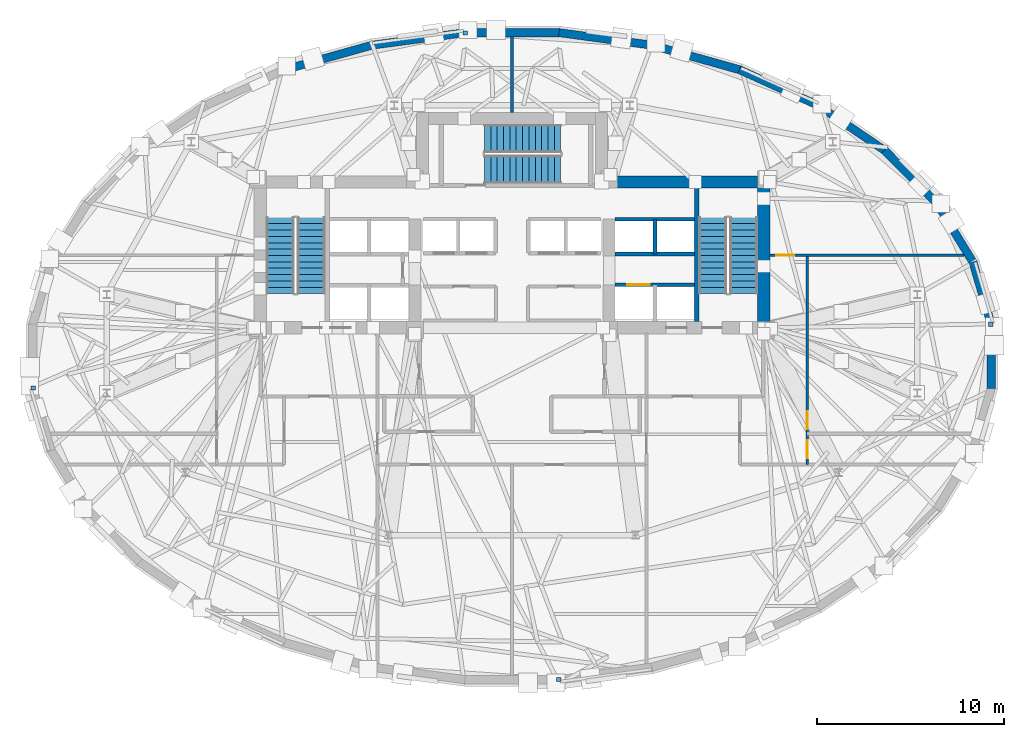
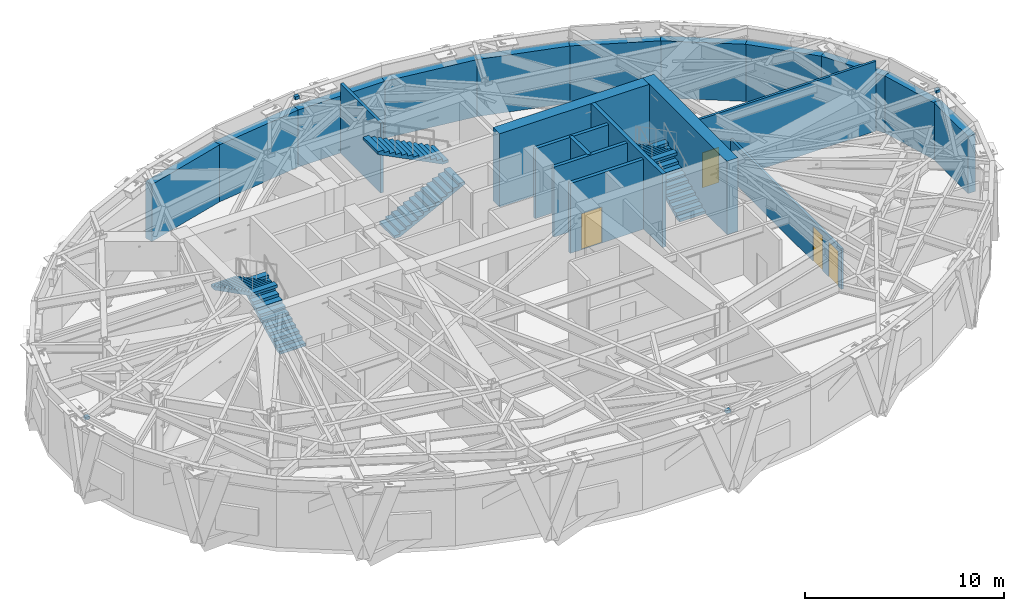
# One storey, part 9 of 13: 21 walls, 6 stair flights, 4 discrete accessories, 4 doors, 4 openings, 3 elements without a shape of their own.
"""IFC4 building model written with IfcOpenShell, lengths in metres."""

from ifc_helpers import new_model, si_unit, direction, frame, frame_2d, origin, origin_2d, place, context, subcontext, project, spatial, polyline, rectangle, outline, extrude, material, layer, layer_set, type_object, element, fill, aggregate, save


model = new_model("IFC4")

# Units and contexts
model_context = context("Model", 3, precision=1e-05, world=origin(), true_north=direction((0.0, 1.0)))
body_context = subcontext(model_context, "Body", "Model", "MODEL_VIEW")
ifc_project = project(units=[si_unit("LENGTHUNIT", "METRE"), si_unit("AREAUNIT", "SQUARE_METRE"), si_unit("VOLUMEUNIT", "CUBIC_METRE"), si_unit("PLANEANGLEUNIT", "RADIAN"), si_unit("MASSUNIT", "GRAM", prefix="KILO")], contexts=[model_context])

# Site, building, storey
site_placement = place(None, origin())
site = spatial("IfcSite", under=ifc_project, at=site_placement, CompositionType="ELEMENT")
building_placement = place(site_placement, origin())
building = spatial("IfcBuilding", under=site, at=building_placement, Name="Keldmark Tower", CompositionType="ELEMENT")
storey_placement = place(building_placement, frame((0.0, 0.0, 135.10009765625)))
storey = spatial("IfcBuildingStorey", under=building, at=storey_placement, Name="L36", CompositionType="ELEMENT", Elevation=135.10009765625)

# Wall, openings, doors
ifc_material_1 = material(Name="Acoustic Double-Layer Gypsum Corridor Partition", Category="gypsum")
ifc_layer_1 = layer(ifc_material_1, 0.139892578125)
ifc_layer_set_1 = layer_set([ifc_layer_1], Name="Acoustic Double-Layer Gypsum Corridor Partition")
wall_type_1 = type_object("IfcWallType", Name="Acoustic Corridor Partition 140 mm", PredefinedType="PARTITIONING", material=ifc_layer_set_1)
wall_1_placement = place(storey_placement, frame((15.800048828125, -5.800048828125, 0.0), z_axis=(0.0, 0.0, 1.0), x_axis=(0.0, 1.0, 0.0)))
wall_1 = element("IfcWall", 1, at=wall_1_placement, inside=storey, type_object=wall_type_1, Name="L36 Acoustic Corridor Partition 140 mm PCOR-E", PredefinedType="PARTITIONING", context=body_context, shape_type="SweptSolid", body=[
    extrude(rectangle(XDim=11.199951171875, YDim=0.139892578125, at=frame_2d((5.60009765625, 0.0))), origin(), (0.0, 0.0, 1.0), 2.469970703125),
])
opening_1_placement = place(wall_1_placement, frame((0.35009765625, 0.0, 0.0)))
opening_1 = element("IfcOpeningElement", 2, at=opening_1_placement, cuts=wall_1, Name="Opening D-AWC95", PredefinedType="OPENING", context=body_context, shape_type="SweptSolid", body=[
    extrude(rectangle(XDim=0.949951171875, YDim=2.14990234375, at=frame_2d((0.47509765625, 1.074951171875))), frame((0.0, 0.079833984375, 0.0), z_axis=(0.0, -1.0, 0.0), x_axis=(1.0, 0.0, 0.0)), (0.0, 0.0, 1.0), 0.159912109375),
])
opening_2_placement = place(wall_1_placement, frame((1.89990234375, 0.0, 0.0)))
opening_2 = element("IfcOpeningElement", 3, at=opening_2_placement, cuts=wall_1, Name="Opening D-AWC95", PredefinedType="OPENING", context=body_context, shape_type="SweptSolid", body=[
    extrude(rectangle(XDim=0.949951171875, YDim=2.14990234375, at=frame_2d((0.47509765625, 1.074951171875))), frame((0.0, 0.079833984375, 0.0), z_axis=(0.0, -1.0, 0.0), x_axis=(1.0, 0.0, 0.0)), (0.0, 0.0, 1.0), 0.159912109375),
])
ifc_material_2 = material(Name="Painted Solid-Core Architectural Wood", Category="wood")
door_type_1 = type_object("IfcDoorType", Name="Accessible WC Door 950x2150", OperationType="NOTDEFINED", PredefinedType="DOOR", material=ifc_material_2)
door_1_placement = place(opening_1_placement, origin())
door_1 = element("IfcDoor", 4, at=door_1_placement, inside=storey, type_object=door_type_1, Name="L36 Accessible WC Door 950x2150 D-PLE1-L36", OperationType="SINGLE_SWING_RIGHT", OverallHeight=2.14990234375, OverallWidth=0.949951171875, PredefinedType="DOOR", context=body_context, shape_type="SweptSolid", body=[
    extrude(rectangle(XDim=0.949951171875, YDim=2.14990234375, at=frame_2d((0.47509765625, 1.074951171875))), frame((0.0, 0.02490234375, 0.0), z_axis=(0.0, -1.0, 0.0), x_axis=(1.0, 0.0, 0.0)), (0.0, 0.0, 1.0), 0.050048828125),
])
fill(opening_1, door_1)
door_2_placement = place(opening_2_placement, origin())
door_2 = element("IfcDoor", 5, at=door_2_placement, inside=storey, type_object=door_type_1, Name="L36 Accessible WC Door 950x2150 D-PLE2-L36", OperationType="SINGLE_SWING_LEFT", OverallHeight=2.14990234375, OverallWidth=0.949951171875, PredefinedType="DOOR", context=body_context, shape_type="SweptSolid", body=[
    extrude(rectangle(XDim=0.949951171875, YDim=2.14990234375, at=frame_2d((0.47509765625, 1.074951171875))), frame((0.0, 0.02490234375, 0.0), z_axis=(0.0, -1.0, 0.0), x_axis=(1.0, 0.0, 0.0)), (0.0, 0.0, 1.0), 0.050048828125),
])
fill(opening_2, door_2)

# Wall, opening, door
wall_2_placement = place(storey_placement, frame((13.800048828125, 5.39990234375, 0.0), z_axis=(0.0, 0.0, 1.0), x_axis=(1.0, 0.0, 0.0)))
wall_2 = element("IfcWall", 6, at=wall_2_placement, inside=storey, type_object=wall_type_1, Name="L36 Acoustic Corridor Partition 140 mm PCOR-EN", PredefinedType="PARTITIONING", context=body_context, shape_type="SweptSolid", body=[
    extrude(rectangle(XDim=10.381103515625, YDim=0.139892578125, at=frame_2d((5.1904296875, 0.0))), origin(), (0.0, 0.0, 1.0), 4.27978515625),
])
opening_3_placement = place(wall_2_placement, frame((0.35009765625, 0.0, 0.0)))
opening_3 = element("IfcOpeningElement", 7, at=opening_3_placement, cuts=wall_2, Name="Opening D-AWC95", PredefinedType="OPENING", context=body_context, shape_type="SweptSolid", body=[
    extrude(rectangle(XDim=0.949951171875, YDim=2.14990234375, at=frame_2d((0.47509765625, 1.074951171875))), frame((0.0, 0.079833984375, 0.0), z_axis=(0.0, -1.0, 0.0), x_axis=(1.0, 0.0, 0.0)), (0.0, 0.0, 1.0), 0.159912109375),
])
door_3_placement = place(opening_3_placement, origin())
door_3 = element("IfcDoor", 8, at=door_3_placement, inside=storey, type_object=door_type_1, Name="L36 Accessible WC Door 950x2150 D-NRNE-L36", OperationType="SINGLE_SWING_RIGHT", OverallHeight=2.14990234375, OverallWidth=0.949951171875, PredefinedType="DOOR", context=body_context, shape_type="SweptSolid", body=[
    extrude(rectangle(XDim=0.949951171875, YDim=2.14990234375, at=frame_2d((0.47509765625, 1.074951171875))), frame((0.0, 0.02490234375, 0.0), z_axis=(0.0, -1.0, 0.0), x_axis=(1.0, 0.0, 0.0)), (0.0, 0.0, 1.0), 0.050048828125),
])
fill(opening_3, door_3)

# Wall
ifc_material_3 = material(Name="Type X Fire-Rated Gypsum Partition Assembly", Category="gypsum")
ifc_layer_2 = layer(ifc_material_3, 0.1650390625)
ifc_layer_set_2 = layer_set([ifc_layer_2], Name="Type X Fire-Rated Gypsum Partition Assembly")
wall_type_2 = type_object("IfcWallType", Name="Rated Partition 165 mm", PredefinedType="PARTITIONING", material=ifc_layer_set_2)
wall_3_placement = place(storey_placement, frame((0.0, 13.050048828125, 0.0), z_axis=(0.0, 0.0, 1.0), x_axis=(0.0, 1.0, 0.0)))
element("IfcWall", 9, at=wall_3_placement, inside=storey, type_object=wall_type_2, Name="L36 Rated Partition 165 mm NPL-DIV", PredefinedType="PARTITIONING", context=body_context, shape_type="SweptSolid", body=[
    extrude(rectangle(XDim=4.037109375, YDim=0.1650390625, at=frame_2d((2.0185546875, 0.0))), origin(), (0.0, 0.0, 1.0), 4.27978515625),
])

# Wall, opening, door
ifc_material_4 = material(Name="Fire-Resistant Type X Gypsum Shaftliner Coreboard", Category="gypsum")
ifc_layer_3 = layer(ifc_material_4, 0.199951171875)
ifc_layer_set_3 = layer_set([ifc_layer_3], Name="Fire-Resistant Type X Gypsum Shaftliner Coreboard")
wall_type_3 = type_object("IfcWallType", Name="Shaft Wall 200 mm", PredefinedType="SOLIDWALL", material=ifc_layer_set_3)
wall_4_placement = place(storey_placement, frame((5.52490234375, 3.820068359375, 0.0), z_axis=(0.0, 0.0, 1.0), x_axis=(1.0, 0.0, 0.0)))
wall_4 = element("IfcWall", 10, at=wall_4_placement, inside=storey, type_object=wall_type_3, Name="L36 Shaft Wall 200 mm HW-E-S", PredefinedType="SOLIDWALL", context=body_context, shape_type="SweptSolid", body=[
    extrude(rectangle(XDim=4.255126953125, YDim=0.199951171875, at=frame_2d((2.12744140625, 0.0))), origin(), (0.0, 0.0, 1.0), 4.27978515625),
])
opening_4_placement = place(wall_4_placement, frame((0.64990234375, 0.0, 0.0)))
opening_4 = element("IfcOpeningElement", 11, at=opening_4_placement, cuts=wall_4, Name="Opening LD-120", PredefinedType="OPENING", context=body_context, shape_type="SweptSolid", body=[
    extrude(rectangle(XDim=1.199951171875, YDim=2.199951171875, at=frame_2d((0.60009765625, 1.10009765625))), frame((0.0, 0.10986328125, 0.0), z_axis=(0.0, -1.0, 0.0), x_axis=(1.0, 0.0, 0.0)), (0.0, 0.0, 1.0), 0.219970703125),
])
ifc_material_5 = material(Name="Heavy-Duty Brushed Metal Hoistway Sliding Leaf", Category="metal")
door_type_2 = type_object("IfcDoorType", Name="Service Lift Sliding Door 1200x2200", OperationType="SLIDING_TO_RIGHT", PredefinedType="DOOR", material=ifc_material_5)
door_4_placement = place(opening_4_placement, origin())
door_4 = element("IfcDoor", 12, at=door_4_placement, inside=storey, type_object=door_type_2, Name="L36 Service Lift Sliding Door 1200x2200 LD-EL-SV1-L36", OperationType="SLIDING_TO_RIGHT", OverallHeight=2.199951171875, OverallWidth=1.199951171875, PredefinedType="DOOR", context=body_context, shape_type="SweptSolid", body=[
    extrude(rectangle(XDim=1.199951171875, YDim=2.199951171875, at=frame_2d((0.60009765625, 1.10009765625))), frame((0.0, 0.02490234375, 0.0), z_axis=(0.0, -1.0, 0.0), x_axis=(1.0, 0.0, 0.0)), (0.0, 0.0, 1.0), 0.050048828125),
])
fill(opening_4, door_4)

# Walls
for number, where, z_axis, x_axis, name in (
    (13, (5.52490234375, 5.469970703125, 0.0), (0.0, 0.0, 1.0), (1.0, 0.0, 0.0), "L36 Shaft Wall 200 mm HW-E-N"),
    (14, (5.52490234375, 7.330078125, 0.0), (0.0, 0.0, 1.0), (1.0, 0.0, 0.0), "L36 Shaft Wall 200 mm HW-E-TOP"),
):
    element("IfcWall", number, at=place(storey_placement, frame(where, z_axis=z_axis, x_axis=x_axis)), inside=storey, type_object=wall_type_3, Name=name, PredefinedType="SOLIDWALL", context=body_context, shape_type="SweptSolid", body=[
        extrude(rectangle(XDim=4.255126953125, YDim=0.199951171875, at=frame_2d((2.12744140625, 0.0))), origin(), (0.0, 0.0, 1.0), 4.27978515625),
    ])
wall_5_placement = place(storey_placement, frame((7.64990234375, 5.469970703125, 0.0), z_axis=(0.0, 0.0, 1.0), x_axis=(0.0, 1.0, 0.0)))
element("IfcWall", 15, at=wall_5_placement, inside=storey, type_object=wall_type_3, Name="L36 Shaft Wall 200 mm HW-E-NM", PredefinedType="SOLIDWALL", context=body_context, shape_type="SweptSolid", body=[
    extrude(rectangle(XDim=1.860107421875, YDim=0.199951171875, at=frame_2d((0.93017578125, 0.0))), origin(), (0.0, 0.0, 1.0), 4.27978515625),
])
ifc_material_6 = material(Name="Concrete C50/60", Category="concrete")
ifc_layer_4 = layer(ifc_material_6, 0.219970703125)
ifc_layer_set_4 = layer_set([ifc_layer_4], Name="Concrete C50/60")
wall_type_4 = type_object("IfcWallType", Name="Stair Core Shear Wall 220 mm", PredefinedType="SHEAR", material=ifc_layer_set_4)
wall_6_placement = place(storey_placement, frame((9.889892578125, 1.85009765625, 0.0), z_axis=(0.0, 0.0, 1.0), x_axis=(0.0, 1.0, 0.0)))
element("IfcWall", 16, at=wall_6_placement, inside=storey, type_object=wall_type_4, Name="L36 East Stair Core Shear Wall", PredefinedType="SHEAR", context=body_context, shape_type="SweptSolid", body=[
    extrude(rectangle(XDim=7.14990234375, YDim=0.219970703125, at=frame_2d((3.574951171875, 0.0))), origin(), (0.0, 0.0, 1.0), 4.5),
])
ifc_material_7 = material(Name="Ironspot Manganese Brick and Kasota Buff Limestone Spandrel Assembly", Category="masonry")
ifc_layer_5 = layer(ifc_material_7, 0.43994140625)
ifc_layer_set_5 = layer_set([ifc_layer_5], Name="Ironspot Manganese Brick and Kasota Buff Limestone Spandrel Assembly")
wall_type_5 = type_object("IfcWallType", Name="Tower Brick Pier and Spandrel Wall 440 mm", PredefinedType="STANDARD", material=ifc_layer_set_5)
wall_7_placement = place(storey_placement, frame((24.669189453125, 5.052734375, 0.0), z_axis=(0.0, 0.0, 1.0), x_axis=(0.28170956188, -0.959499725245, 0.0)))
element("IfcWall", 17, at=wall_7_placement, inside=storey, type_object=wall_type_5, Name="L36 Exterior Brick and Spandrel Wall 01", PredefinedType="STANDARD", context=body_context, shape_type="SweptSolid", body=[
    extrude(rectangle(XDim=3.53076171875, YDim=0.43994140625, at=frame_2d((1.765380859375, 0.0))), origin(), (0.0, 0.0, 1.0), 3.497802734375),
])
wall_8_placement = place(storey_placement, frame((22.7421875, 8.19140625, 0.0), z_axis=(0.0, 0.0, 1.0), x_axis=(0.521476412293, -0.853265698022, 0.0)))
element("IfcWall", 18, at=wall_8_placement, inside=storey, type_object=wall_type_5, Name="L36 Exterior Brick and Spandrel Wall 02", PredefinedType="STANDARD", context=body_context, shape_type="SweptSolid", body=[
    extrude(rectangle(XDim=3.740234375, YDim=0.43994140625, at=frame_2d((1.8701171875, 0.0))), origin(), (0.0, 0.0, 1.0), 3.497802734375),
])
wall_9_placement = place(storey_placement, frame((19.941650390625, 11.0234375, 0.0), z_axis=(0.0, 0.0, 1.0), x_axis=(0.702094935552, -0.712083352897, 0.0)))
element("IfcWall", 19, at=wall_9_placement, inside=storey, type_object=wall_type_5, Name="L36 Exterior Brick and Spandrel Wall 03", PredefinedType="STANDARD", context=body_context, shape_type="SweptSolid", body=[
    extrude(rectangle(XDim=4.032958984375, YDim=0.43994140625, at=frame_2d((2.0166015625, 0.0))), origin(), (0.0, 0.0, 1.0), 3.497802734375),
])
wall_10_placement = place(storey_placement, frame((16.370849609375, 13.438232421875, 0.0), z_axis=(0.0, 0.0, 1.0), x_axis=(0.827816201219, -0.56099940909, 0.0)))
element("IfcWall", 20, at=wall_10_placement, inside=storey, type_object=wall_type_5, Name="L36 Exterior Brick and Spandrel Wall 04", PredefinedType="STANDARD", context=body_context, shape_type="SweptSolid", body=[
    extrude(rectangle(XDim=4.353515625, YDim=0.43994140625, at=frame_2d((2.1767578125, 0.0))), origin(), (0.0, 0.0, 1.0), 3.497802734375),
])
wall_11_placement = place(storey_placement, frame((12.16552734375, 15.339111328125, 0.0), z_axis=(0.0, 0.0, 1.0), x_axis=(0.910938924115, -0.412541242221, 0.0)))
element("IfcWall", 21, at=wall_11_placement, inside=storey, type_object=wall_type_5, Name="L36 Exterior Brick and Spandrel Wall 05", PredefinedType="STANDARD", context=body_context, shape_type="SweptSolid", body=[
    extrude(rectangle(XDim=4.652099609375, YDim=0.43994140625, at=frame_2d((2.326171875, 0.0))), origin(), (0.0, 0.0, 1.0), 3.497802734375),
])
wall_12_placement = place(storey_placement, frame((7.48779296875, 16.6494140625, 0.0), z_axis=(0.0, 0.0, 1.0), x_axis=(0.962790668442, -0.270248272446, 0.0)))
element("IfcWall", 22, at=wall_12_placement, inside=storey, type_object=wall_type_5, Name="L36 Exterior Brick and Spandrel Wall 06", PredefinedType="STANDARD", context=body_context, shape_type="SweptSolid", body=[
    extrude(rectangle(XDim=4.890869140625, YDim=0.43994140625, at=frame_2d((2.4453125, 0.0))), origin(), (0.0, 0.0, 1.0), 3.497802734375),
])
wall_13_placement = place(storey_placement, frame((2.51904296875, 17.317138671875, 0.0), z_axis=(0.0, 0.0, 1.0), x_axis=(0.99103751038, -0.133583880086, 0.0)))
element("IfcWall", 23, at=wall_13_placement, inside=storey, type_object=wall_type_5, Name="L36 Exterior Brick and Spandrel Wall 07", PredefinedType="STANDARD", context=body_context, shape_type="SweptSolid", body=[
    extrude(rectangle(XDim=5.044189453125, YDim=0.43994140625, at=frame_2d((2.52197265625, 0.0))), origin(), (0.0, 0.0, 1.0), 3.497802734375),
])
wall_14_placement = place(storey_placement, frame((-2.54833984375, 17.315185546875, 0.0), z_axis=(0.0, 0.0, 1.0), x_axis=(1.0, 0.0, 0.0)))
element("IfcWall", 24, at=wall_14_placement, inside=storey, type_object=wall_type_5, Name="L36 Exterior Brick and Spandrel Wall 08", PredefinedType="STANDARD", context=body_context, shape_type="SweptSolid", body=[
    extrude(rectangle(XDim=5.0966796875, YDim=0.43994140625, at=frame_2d((2.54833984375, 0.0))), origin(), (0.0, 0.0, 1.0), 3.497802734375),
])
wall_15_placement = place(storey_placement, frame((-7.51806640625, 16.643310546875, 0.0), z_axis=(0.0, 0.0, 1.0), x_axis=(0.99103751038, 0.133583880086, 0.0)))
element("IfcWall", 25, at=wall_15_placement, inside=storey, type_object=wall_type_5, Name="L36 Exterior Brick and Spandrel Wall 09", PredefinedType="STANDARD", context=body_context, shape_type="SweptSolid", body=[
    extrude(rectangle(XDim=5.044189453125, YDim=0.43994140625, at=frame_2d((2.52197265625, 0.0))), origin(), (0.0, 0.0, 1.0), 3.497802734375),
])
wall_16_placement = place(storey_placement, frame((-12.19677734375, 15.32763671875, 0.0), z_axis=(0.0, 0.0, 1.0), x_axis=(0.962790668442, 0.270248272446, 0.0)))
element("IfcWall", 26, at=wall_16_placement, inside=storey, type_object=wall_type_5, Name="L36 Exterior Brick and Spandrel Wall 10", PredefinedType="STANDARD", context=body_context, shape_type="SweptSolid", body=[
    extrude(rectangle(XDim=4.890869140625, YDim=0.43994140625, at=frame_2d((2.4453125, 0.0))), origin(), (0.0, 0.0, 1.0), 3.497802734375),
])
wall_17_placement = place(storey_placement, frame((25.65478515625, 1.72705078125, 0.0), z_axis=(0.0, 0.0, 1.0), x_axis=(0.0, -1.0, 0.0)))
element("IfcWall", 27, at=wall_17_placement, inside=storey, type_object=wall_type_5, Name="L36 Exterior Brick and Spandrel Wall 32", PredefinedType="STANDARD", context=body_context, shape_type="SweptSolid", body=[
    extrude(rectangle(XDim=3.4541015625, YDim=0.43994140625, at=frame_2d((1.72705078125, 0.0))), origin(), (0.0, 0.0, 1.0), 3.497802734375),
])
ifc_material_8 = material(Name="Concrete C50/60", Category="concrete")
ifc_layer_6 = layer(ifc_material_8, 0.64990234375)
ifc_layer_set_6 = layer_set([ifc_layer_6], Name="Concrete C50/60")
wall_type_6 = type_object("IfcWallType", Name="Upper-Mid Core Shear Wall 650 mm", PredefinedType="SHEAR", material=ifc_layer_set_6)
wall_18_placement = place(storey_placement, frame((13.47509765625, 1.199951171875, 0.0), z_axis=(0.0, 0.0, 1.0), x_axis=(0.0, 1.0, 0.0)))
element("IfcWall", 28, at=wall_18_placement, inside=storey, type_object=wall_type_6, Name="L36 East Core Outer Shear Wall", PredefinedType="SHEAR", context=body_context, shape_type="SweptSolid", body=[
    extrude(rectangle(XDim=8.449951171875, YDim=0.64990234375, at=frame_2d((4.22509765625, 0.0))), origin(), (0.0, 0.0, 1.0), 4.5),
])
wall_19_placement = place(storey_placement, frame((4.47509765625, 9.324951171875, 0.0), z_axis=(0.0, 0.0, 1.0), x_axis=(1.0, 0.0, 0.0)))
element("IfcWall", 29, at=wall_19_placement, inside=storey, type_object=wall_type_6, Name="L36 East Core North Shear Wall", PredefinedType="SHEAR", context=body_context, shape_type="SweptSolid", body=[
    extrude(rectangle(XDim=9.324951171875, YDim=0.64990234375, at=frame_2d((4.66259765625, 0.0))), origin(), (0.0, 0.0, 1.0), 4.5),
])

# Stair, stair flights
ifc_material_9 = material(Name="Concrete C40/50", Category="concrete")
stair_type = type_object("IfcStairType", Name="Precast Concrete Core Exit Stair", PredefinedType="HALF_TURN_STAIR", material=ifc_material_9)
stair_1_placement = place(storey_placement, origin())
stair_1 = element("IfcStair", 30, at=stair_1_placement, inside=storey, type_object=stair_type, Name="L36 Exit Stair ST1", PredefinedType="HALF_TURN_STAIR")
ifc_material_10 = material(Name="Concrete C40/50", Category="concrete")
stair_flight_type = type_object("IfcStairFlightType", Name="Precast Concrete Stair Flight 1500 mm", PredefinedType="STRAIGHT", material=ifc_material_10)
stair_flight_1_placement = place(storey_placement, frame((-10.75, 3.35009765625, 0.0), z_axis=(0.0, 0.0, 1.0), x_axis=(0.0, 1.0, 0.0)))
stair_flight_1 = element("IfcStairFlight", 31, at=stair_flight_1_placement, type_object=stair_flight_type, Name="ST1 flight 1", NumberOfRisers=13, NumberOfTreads=12, PredefinedType="STRAIGHT", RiserHeight=0.173076923, TreadLength=0.34, context=body_context, shape_type="SweptSolid", body=[
    extrude(outline(polyline([(0.0, 0.0), (0.0, 0.173095703125), (0.340087890625, 0.173095703125), (0.340087890625, 0.34619140625), (0.679931640625, 0.34619140625), (0.679931640625, 0.519287109375), (1.02001953125, 0.519287109375), (1.02001953125, 0.6923828125), (1.360107421875, 0.6923828125), (1.360107421875, 0.865478515625), (1.699951171875, 0.865478515625), (1.699951171875, 1.03857421875), (2.0400390625, 1.03857421875), (2.0400390625, 1.21142578125), (2.3798828125, 1.21142578125), (2.3798828125, 1.384521484375), (2.719970703125, 1.384521484375), (2.719970703125, 1.5576171875), (3.06005859375, 1.5576171875), (3.06005859375, 1.730712890625), (3.39990234375, 1.730712890625), (3.39990234375, 1.90380859375), (3.739990234375, 1.90380859375), (3.739990234375, 2.076904296875), (4.080078125, 2.076904296875), (4.080078125, 2.25), (4.080078125, 1.90869140625), (0.330322265625, 0.0), (0.0, 0.0)])), frame((0.0, 0.75, 0.0), z_axis=(0.0, -1.0, 0.0), x_axis=(1.0, 0.0, 0.0)), (0.0, 0.0, 1.0), 1.5),
])
stair_flight_2_placement = place(storey_placement, frame((-12.39990234375, 7.429931640625, 2.25), z_axis=(0.0, 0.0, 1.0), x_axis=(0.0, -1.0, 0.0)))
stair_flight_2 = element("IfcStairFlight", 32, at=stair_flight_2_placement, type_object=stair_flight_type, Name="ST1 flight 2", NumberOfRisers=13, NumberOfTreads=12, PredefinedType="STRAIGHT", RiserHeight=0.173076923, TreadLength=0.34, context=body_context, shape_type="SweptSolid", body=[
    extrude(outline(polyline([(0.0, 0.0), (0.0, 0.173095703125), (0.340087890625, 0.173095703125), (0.340087890625, 0.34619140625), (0.679931640625, 0.34619140625), (0.679931640625, 0.519287109375), (1.02001953125, 0.519287109375), (1.02001953125, 0.6923828125), (1.360107421875, 0.6923828125), (1.360107421875, 0.865478515625), (1.699951171875, 0.865478515625), (1.699951171875, 1.03857421875), (2.0400390625, 1.03857421875), (2.0400390625, 1.21142578125), (2.3798828125, 1.21142578125), (2.3798828125, 1.384521484375), (2.719970703125, 1.384521484375), (2.719970703125, 1.5576171875), (3.06005859375, 1.5576171875), (3.06005859375, 1.730712890625), (3.39990234375, 1.730712890625), (3.39990234375, 1.90380859375), (3.739990234375, 1.90380859375), (3.739990234375, 2.076904296875), (4.080078125, 2.076904296875), (4.080078125, 2.25), (4.080078125, 1.90869140625), (0.330322265625, 0.0), (0.0, 0.0)])), frame((0.0, 0.75, 0.0), z_axis=(0.0, -1.0, 0.0), x_axis=(1.0, 0.0, 0.0)), (0.0, 0.0, 1.0), 1.5),
])
aggregate(stair_1, [stair_flight_1, stair_flight_2])

stair_2_placement = place(storey_placement, origin())
stair_2 = element("IfcStair", 33, at=stair_2_placement, inside=storey, type_object=stair_type, Name="L36 Exit Stair ST2", PredefinedType="HALF_TURN_STAIR")
stair_flight_3_placement = place(storey_placement, frame((12.39990234375, 3.35009765625, 0.0), z_axis=(0.0, 0.0, 1.0), x_axis=(0.0, 1.0, 0.0)))
stair_flight_3 = element("IfcStairFlight", 34, at=stair_flight_3_placement, type_object=stair_flight_type, Name="ST2 flight 1", NumberOfRisers=13, NumberOfTreads=12, PredefinedType="STRAIGHT", RiserHeight=0.173076923, TreadLength=0.34, context=body_context, shape_type="SweptSolid", body=[
    extrude(outline(polyline([(0.0, 0.0), (0.0, 0.173095703125), (0.340087890625, 0.173095703125), (0.340087890625, 0.34619140625), (0.679931640625, 0.34619140625), (0.679931640625, 0.519287109375), (1.02001953125, 0.519287109375), (1.02001953125, 0.6923828125), (1.360107421875, 0.6923828125), (1.360107421875, 0.865478515625), (1.699951171875, 0.865478515625), (1.699951171875, 1.03857421875), (2.0400390625, 1.03857421875), (2.0400390625, 1.21142578125), (2.3798828125, 1.21142578125), (2.3798828125, 1.384521484375), (2.719970703125, 1.384521484375), (2.719970703125, 1.5576171875), (3.06005859375, 1.5576171875), (3.06005859375, 1.730712890625), (3.39990234375, 1.730712890625), (3.39990234375, 1.90380859375), (3.739990234375, 1.90380859375), (3.739990234375, 2.076904296875), (4.080078125, 2.076904296875), (4.080078125, 2.25), (4.080078125, 1.90869140625), (0.330322265625, 0.0), (0.0, 0.0)])), frame((0.0, 0.75, 0.0), z_axis=(0.0, -1.0, 0.0), x_axis=(1.0, 0.0, 0.0)), (0.0, 0.0, 1.0), 1.5),
])
stair_flight_4_placement = place(storey_placement, frame((10.75, 7.429931640625, 2.25), z_axis=(0.0, 0.0, 1.0), x_axis=(0.0, -1.0, 0.0)))
stair_flight_4 = element("IfcStairFlight", 35, at=stair_flight_4_placement, type_object=stair_flight_type, Name="ST2 flight 2", NumberOfRisers=13, NumberOfTreads=12, PredefinedType="STRAIGHT", RiserHeight=0.173076923, TreadLength=0.34, context=body_context, shape_type="SweptSolid", body=[
    extrude(outline(polyline([(0.0, 0.0), (0.0, 0.173095703125), (0.340087890625, 0.173095703125), (0.340087890625, 0.34619140625), (0.679931640625, 0.34619140625), (0.679931640625, 0.519287109375), (1.02001953125, 0.519287109375), (1.02001953125, 0.6923828125), (1.360107421875, 0.6923828125), (1.360107421875, 0.865478515625), (1.699951171875, 0.865478515625), (1.699951171875, 1.03857421875), (2.0400390625, 1.03857421875), (2.0400390625, 1.21142578125), (2.3798828125, 1.21142578125), (2.3798828125, 1.384521484375), (2.719970703125, 1.384521484375), (2.719970703125, 1.5576171875), (3.06005859375, 1.5576171875), (3.06005859375, 1.730712890625), (3.39990234375, 1.730712890625), (3.39990234375, 1.90380859375), (3.739990234375, 1.90380859375), (3.739990234375, 2.076904296875), (4.080078125, 2.076904296875), (4.080078125, 2.25), (4.080078125, 1.90869140625), (0.330322265625, 0.0), (0.0, 0.0)])), frame((0.0, 0.75, 0.0), z_axis=(0.0, -1.0, 0.0), x_axis=(1.0, 0.0, 0.0)), (0.0, 0.0, 1.0), 1.5),
])
aggregate(stair_2, [stair_flight_3, stair_flight_4])

stair_3_placement = place(storey_placement, origin())
stair_3 = element("IfcStair", 36, at=stair_3_placement, inside=storey, type_object=stair_type, Name="L36 Exit Stair ST3", PredefinedType="HALF_TURN_STAIR")
stair_flight_5_placement = place(storey_placement, frame((-1.47509765625, 10.0, 0.0), z_axis=(0.0, 0.0, 1.0), x_axis=(1.0, 0.0, 0.0)))
stair_flight_5 = element("IfcStairFlight", 37, at=stair_flight_5_placement, type_object=stair_flight_type, Name="ST3 flight 1", NumberOfRisers=13, NumberOfTreads=12, PredefinedType="STRAIGHT", RiserHeight=0.173076923, TreadLength=0.34, context=body_context, shape_type="SweptSolid", body=[
    extrude(outline(polyline([(0.0, 0.0), (0.0, 0.173095703125), (0.340087890625, 0.173095703125), (0.340087890625, 0.34619140625), (0.679931640625, 0.34619140625), (0.679931640625, 0.519287109375), (1.02001953125, 0.519287109375), (1.02001953125, 0.6923828125), (1.360107421875, 0.6923828125), (1.360107421875, 0.865478515625), (1.699951171875, 0.865478515625), (1.699951171875, 1.03857421875), (2.0400390625, 1.03857421875), (2.0400390625, 1.21142578125), (2.3798828125, 1.21142578125), (2.3798828125, 1.384521484375), (2.719970703125, 1.384521484375), (2.719970703125, 1.5576171875), (3.06005859375, 1.5576171875), (3.06005859375, 1.730712890625), (3.39990234375, 1.730712890625), (3.39990234375, 1.90380859375), (3.739990234375, 1.90380859375), (3.739990234375, 2.076904296875), (4.080078125, 2.076904296875), (4.080078125, 2.25), (4.080078125, 1.90869140625), (0.330322265625, 0.0), (0.0, 0.0)])), frame((0.0, 0.75, 0.0), z_axis=(0.0, -1.0, 0.0), x_axis=(1.0, 0.0, 0.0)), (0.0, 0.0, 1.0), 1.5),
])
stair_flight_6_placement = place(storey_placement, frame((2.60498046875, 11.64990234375, 2.25), z_axis=(0.0, 0.0, 1.0), x_axis=(-1.0, 0.0, 0.0)))
stair_flight_6 = element("IfcStairFlight", 38, at=stair_flight_6_placement, type_object=stair_flight_type, Name="ST3 flight 2", NumberOfRisers=13, NumberOfTreads=12, PredefinedType="STRAIGHT", RiserHeight=0.173076923, TreadLength=0.34, context=body_context, shape_type="SweptSolid", body=[
    extrude(outline(polyline([(0.0, 0.0), (0.0, 0.173095703125), (0.340087890625, 0.173095703125), (0.340087890625, 0.34619140625), (0.679931640625, 0.34619140625), (0.679931640625, 0.519287109375), (1.02001953125, 0.519287109375), (1.02001953125, 0.6923828125), (1.360107421875, 0.6923828125), (1.360107421875, 0.865478515625), (1.699951171875, 0.865478515625), (1.699951171875, 1.03857421875), (2.0400390625, 1.03857421875), (2.0400390625, 1.21142578125), (2.3798828125, 1.21142578125), (2.3798828125, 1.384521484375), (2.719970703125, 1.384521484375), (2.719970703125, 1.5576171875), (3.06005859375, 1.5576171875), (3.06005859375, 1.730712890625), (3.39990234375, 1.730712890625), (3.39990234375, 1.90380859375), (3.739990234375, 1.90380859375), (3.739990234375, 2.076904296875), (4.080078125, 2.076904296875), (4.080078125, 2.25), (4.080078125, 1.90869140625), (0.330322265625, 0.0), (0.0, 0.0)])), frame((0.0, 0.75, 0.0), z_axis=(0.0, -1.0, 0.0), x_axis=(1.0, 0.0, 0.0)), (0.0, 0.0, 1.0), 1.5),
])
aggregate(stair_3, [stair_flight_5, stair_flight_6])

# Discrete accessories
ifc_material_11 = material(Name="Hot-Dip Galvanized Steel ASTM A572 Grade 50", Category="steel")
discrete_accessory_type = type_object("IfcDiscreteAccessoryType", Name="Masonry Spandrel Shelf-Angle Bracket", PredefinedType="BRACKET", material=ifc_material_11)
for number, where, z_axis, x_axis, name in (
    (39, (25.63525390625, 1.711181640625, 4.08984375), (0.0, 0.0, 1.0), (1.0, 0.0, 0.0), "L36 Masonry Shelf-Angle Bracket 00"),
    (40, (-2.513916015625, 17.297607421875, 4.08984375), (0.0, 0.0, 1.0), (1.0, 0.0, 0.0), "L36 Masonry Shelf-Angle Bracket 08"),
    (41, (-25.63525390625, -1.711181640625, 4.08984375), (0.0, 0.0, 1.0), (1.0, 0.0, 0.0), "L36 Masonry Shelf-Angle Bracket 16"),
    (42, (2.513916015625, -17.297607421875, 4.08984375), (0.0, 0.0, 1.0), (1.0, 0.0, 0.0), "L36 Masonry Shelf-Angle Bracket 24"),
):
    element("IfcDiscreteAccessory", number, at=place(storey_placement, frame(where, z_axis=z_axis, x_axis=x_axis)), inside=storey, type_object=discrete_accessory_type, Name=name, PredefinedType="BRACKET", context=body_context, shape_type="SweptSolid", body=[
        extrude(rectangle(XDim=0.239990234375, YDim=0.219970703125, at=origin_2d()), origin(), (0.0, 0.0, 1.0), 0.179931640625),
    ])

save(model, "model.ifc")
